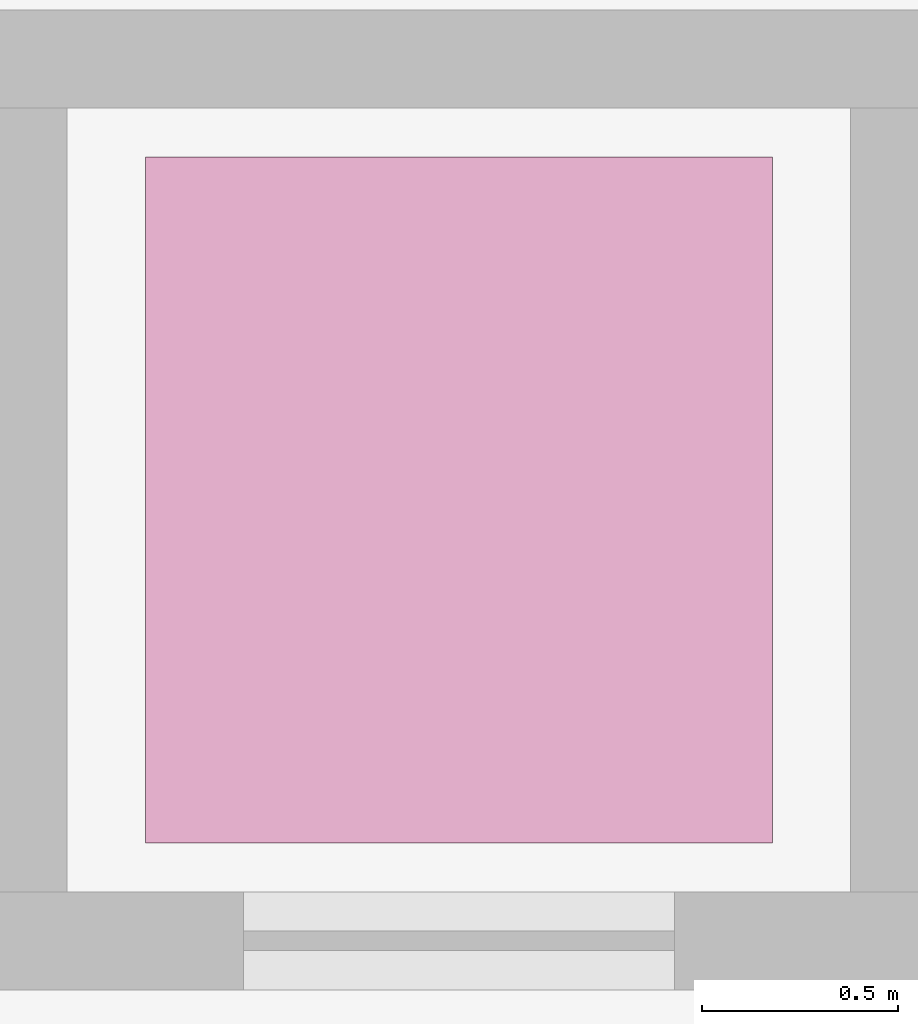
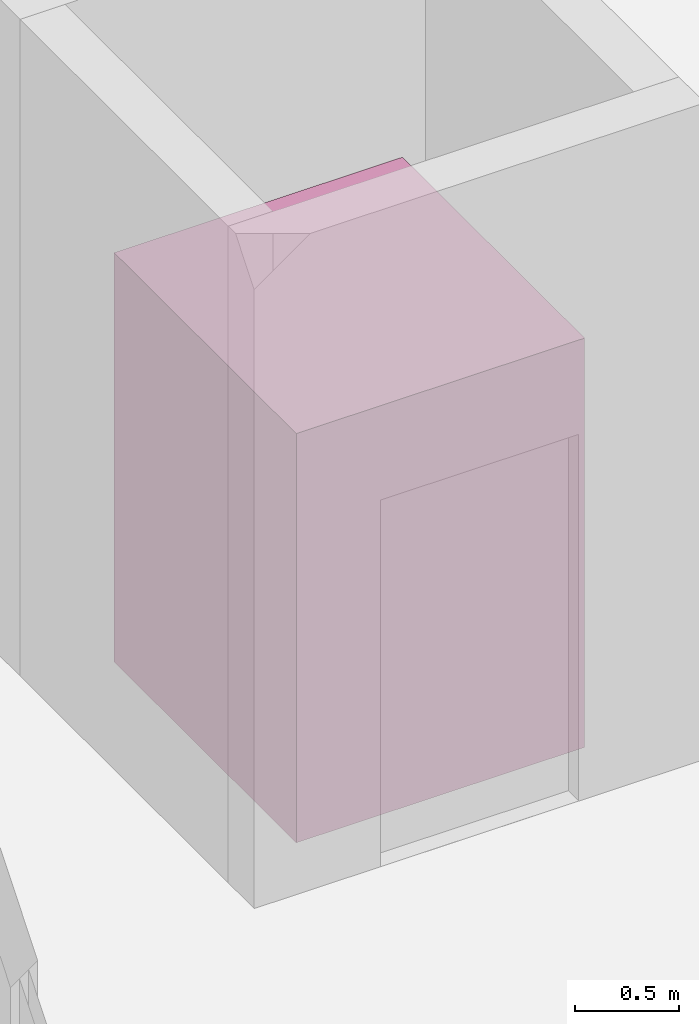
# One storey, part 10 of 10: 1 transport element.
"""IFC4 building model written with IfcOpenShell, lengths in metres."""

from ifc_helpers import new_model, si_unit, direction, frame, origin, origin_2d, place, context, subcontext, project, spatial, rectangle, extrude, material, type_object, element, save


model = new_model("IFC4")

# Units and contexts
model_context = context("Model", 3, precision=1e-05, world=origin(), true_north=direction((0.0, 1.0)))
body_context = subcontext(model_context, "Body", "Model", "MODEL_VIEW")
ifc_project = project(units=[si_unit("LENGTHUNIT", "METRE"), si_unit("AREAUNIT", "SQUARE_METRE"), si_unit("VOLUMEUNIT", "CUBIC_METRE"), si_unit("PLANEANGLEUNIT", "RADIAN"), si_unit("MASSUNIT", "GRAM", prefix="KILO")], contexts=[model_context])

# Site, building, storey
site_placement = place(None, origin())
site = spatial("IfcSite", under=ifc_project, at=site_placement, CompositionType="ELEMENT")
building_placement = place(site_placement, origin())
building = spatial("IfcBuilding", under=site, at=building_placement, Name="Kestramere Prow Commons", CompositionType="ELEMENT")
storey_placement = place(building_placement, frame((0.0, 0.0, -4.199951171875)))
storey = spatial("IfcBuildingStorey", under=building, at=storey_placement, Name="B1", CompositionType="ELEMENT", Elevation=-4.199951171875)

# Transport element
ifc_material = material(Name="Stainless Steel 304 Passenger Lift Car", Category="steel")
transport_element_type = type_object("IfcTransportElementType", Name="TYPE-PL-S1", PredefinedType="ELEVATOR", material=ifc_material)
transport_element_placement = place(storey_placement, frame((63.60009765625, 20.0, 0.0), z_axis=(0.0, 0.0, 1.0), x_axis=(1.0, 0.0, 0.0)))
element("IfcTransportElement", 1, at=transport_element_placement, inside=storey, type_object=transport_element_type, Name="PL-S1 Accessible Passenger Lift (B1-L02)", PredefinedType="ELEVATOR", context=body_context, shape_type="SweptSolid", body=[
    extrude(rectangle(XDim=1.60009765625, YDim=1.75, at=origin_2d()), origin(), (0.0, 0.0, 1.0), 2.39990234375),
])

save(model, "model.ifc")
